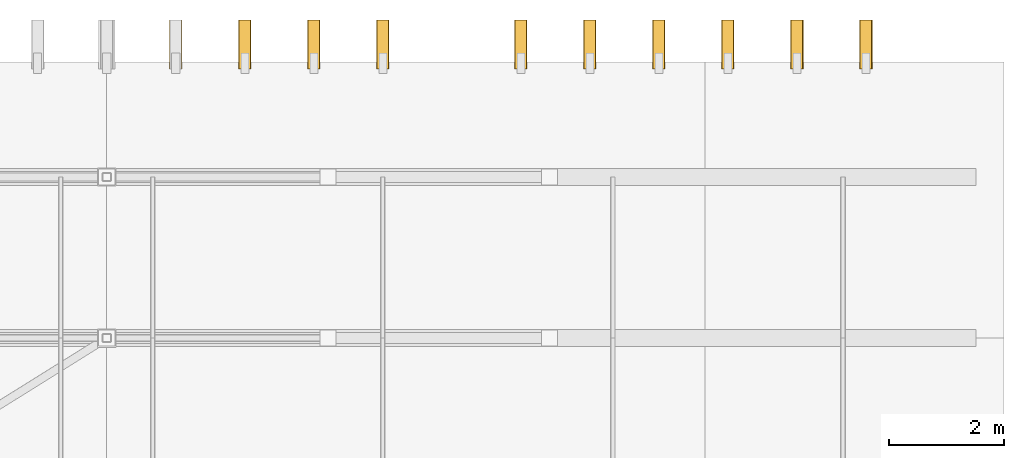
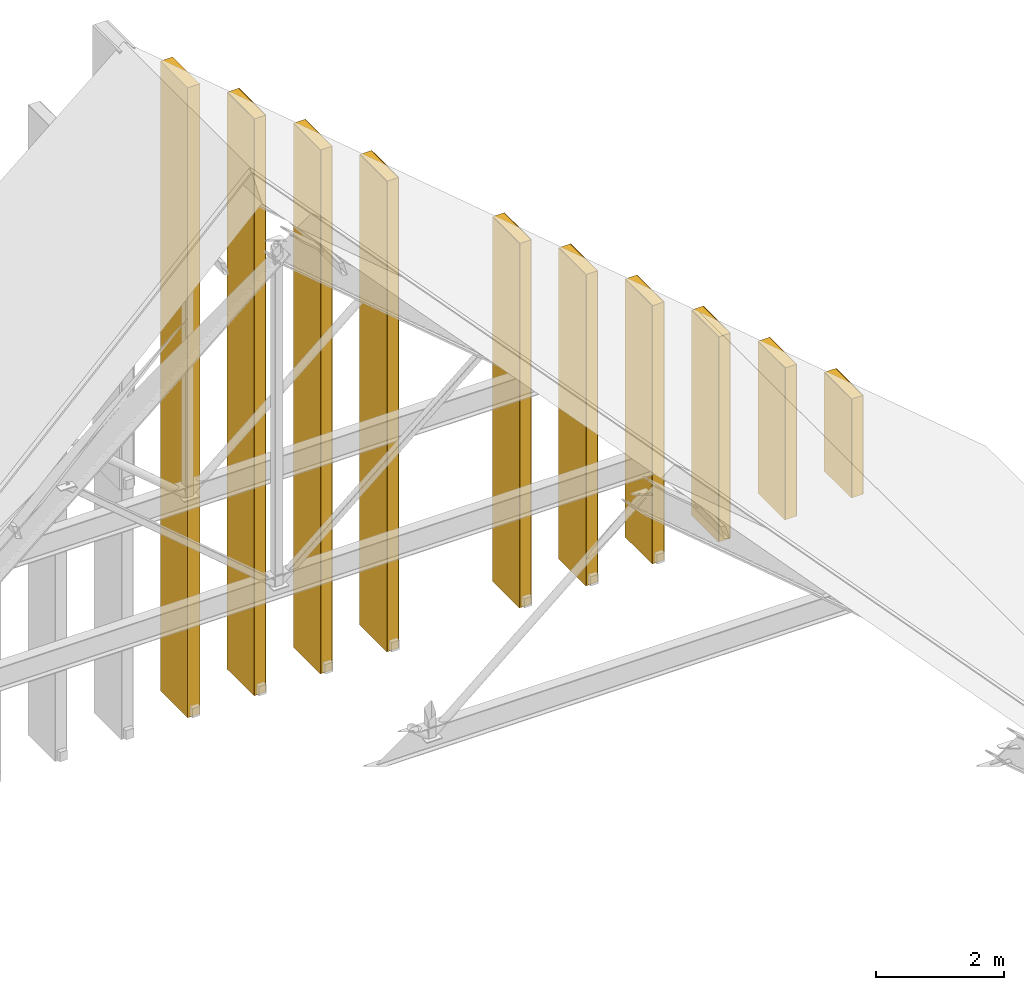
# One storey, part 60 of 60: 10 coverings, 9 shading devices.
"""IFC4 building model written with IfcOpenShell, lengths in metres."""

from ifc_helpers import new_model, si_unit, direction, frame, origin, origin_2d, place, context, subcontext, project, spatial, rectangle, extrude, material, layer, layer_set, type_object, element, save


model = new_model("IFC4")

# Units and contexts
model_context = context("Model", 3, precision=1e-05, world=origin(), true_north=direction((0.0, 1.0)))
body_context = subcontext(model_context, "Body", "Model", "MODEL_VIEW")
ifc_project = project(units=[si_unit("LENGTHUNIT", "METRE"), si_unit("AREAUNIT", "SQUARE_METRE"), si_unit("VOLUMEUNIT", "CUBIC_METRE"), si_unit("PLANEANGLEUNIT", "RADIAN"), si_unit("MASSUNIT", "GRAM", prefix="KILO")], contexts=[model_context])

# Site, building, storey
site_placement = place(None, origin())
site = spatial("IfcSite", under=ifc_project, at=site_placement, CompositionType="ELEMENT")
building_placement = place(site_placement, origin())
building = spatial("IfcBuilding", under=site, at=building_placement, Name="Nakhvara Creek Congress Hotel", CompositionType="ELEMENT")
storey_placement = place(building_placement, frame((0.0, 0.0, 54.60009765625)))
storey = spatial("IfcBuildingStorey", under=building, at=storey_placement, Name="RL1", CompositionType="ELEMENT", Elevation=54.60009765625)

# Coverings
ifc_material_1 = material(Name="Honed pale Omani limestone architectural cladding", Category="masonry")
ifc_layer = layer(ifc_material_1, 0.219970703125)
ifc_layer_set = layer_set([ifc_layer], Name="Honed pale Omani limestone architectural cladding")
covering_type = type_object("IfcCoveringType", Name="COV-FIN-850", PredefinedType="CLADDING", material=ifc_layer_set)
covering_1_placement = place(storey_placement, frame((165.60009765625, 126.304931640625, -4.18017578125), z_axis=(0.0, 0.0, 1.0), x_axis=(1.0, 0.0, 0.0)))
element("IfcCovering", 1, at=covering_1_placement, inside=storey, type_object=covering_type, Name="Pale Limestone Fin Cladding CF01-0031", PredefinedType="CLADDING", context=body_context, shape_type="SweptSolid", body=[
    extrude(rectangle(XDim=0.219970703125, YDim=0.85009765625, at=origin_2d()), origin(), (0.0, 0.0, 1.0), 12.044677734375),
])
covering_2_placement = place(storey_placement, frame((166.800048828125, 126.304931640625, -4.18017578125), z_axis=(0.0, 0.0, 1.0), x_axis=(1.0, 0.0, 0.0)))
element("IfcCovering", 2, at=covering_2_placement, inside=storey, type_object=covering_type, Name="Pale Limestone Fin Cladding CF01-0032", PredefinedType="CLADDING", context=body_context, shape_type="SweptSolid", body=[
    extrude(rectangle(XDim=0.219970703125, YDim=0.85009765625, at=origin_2d()), origin(), (0.0, 0.0, 1.0), 11.029296875),
])
covering_3_placement = place(storey_placement, frame((168.0, 126.304931640625, -4.18017578125), z_axis=(0.0, 0.0, 1.0), x_axis=(1.0, 0.0, 0.0)))
element("IfcCovering", 3, at=covering_3_placement, inside=storey, type_object=covering_type, Name="Pale Limestone Fin Cladding CF01-0033", PredefinedType="CLADDING", context=body_context, shape_type="SweptSolid", body=[
    extrude(rectangle(XDim=0.219970703125, YDim=0.85009765625, at=origin_2d()), origin(), (0.0, 0.0, 1.0), 10.013916015625),
])
covering_4_placement = place(storey_placement, frame((169.199951171875, 126.304931640625, -4.18017578125), z_axis=(0.0, 0.0, 1.0), x_axis=(1.0, 0.0, 0.0)))
element("IfcCovering", 4, at=covering_4_placement, inside=storey, type_object=covering_type, Name="Pale Limestone Fin Cladding CF01-0034", PredefinedType="CLADDING", context=body_context, shape_type="SweptSolid", body=[
    extrude(rectangle(XDim=0.219970703125, YDim=0.85009765625, at=origin_2d()), origin(), (0.0, 0.0, 1.0), 8.99853515625),
])
covering_5_placement = place(storey_placement, frame((171.60009765625, 126.304931640625, -4.18017578125), z_axis=(0.0, 0.0, 1.0), x_axis=(1.0, 0.0, 0.0)))
element("IfcCovering", 5, at=covering_5_placement, inside=storey, type_object=covering_type, Name="Pale Limestone Fin Cladding CF01-0035", PredefinedType="CLADDING", context=body_context, shape_type="SweptSolid", body=[
    extrude(rectangle(XDim=0.219970703125, YDim=0.85009765625, at=origin_2d()), origin(), (0.0, 0.0, 1.0), 6.9677734375),
])
covering_6_placement = place(storey_placement, frame((172.800048828125, 126.304931640625, -4.18017578125), z_axis=(0.0, 0.0, 1.0), x_axis=(1.0, 0.0, 0.0)))
element("IfcCovering", 6, at=covering_6_placement, inside=storey, type_object=covering_type, Name="Pale Limestone Fin Cladding CF01-0036", PredefinedType="CLADDING", context=body_context, shape_type="SweptSolid", body=[
    extrude(rectangle(XDim=0.219970703125, YDim=0.85009765625, at=origin_2d()), origin(), (0.0, 0.0, 1.0), 5.952392578125),
])
covering_7_placement = place(storey_placement, frame((174.0, 126.304931640625, -4.18017578125), z_axis=(0.0, 0.0, 1.0), x_axis=(1.0, 0.0, 0.0)))
element("IfcCovering", 7, at=covering_7_placement, inside=storey, type_object=covering_type, Name="Pale Limestone Fin Cladding CF01-0037", PredefinedType="CLADDING", context=body_context, shape_type="SweptSolid", body=[
    extrude(rectangle(XDim=0.219970703125, YDim=0.85009765625, at=origin_2d()), origin(), (0.0, 0.0, 1.0), 4.93701171875),
])
covering_8_placement = place(storey_placement, frame((175.199951171875, 126.304931640625, -4.179931640625), z_axis=(0.0, 0.0, 1.0), x_axis=(1.0, 0.0, 0.0)))
element("IfcCovering", 8, at=covering_8_placement, inside=storey, type_object=covering_type, Name="Pale Limestone Fin Cladding CF01-0038", PredefinedType="CLADDING", context=body_context, shape_type="SweptSolid", body=[
    extrude(rectangle(XDim=0.219970703125, YDim=0.85009765625, at=origin_2d()), origin(), (0.0, 0.0, 1.0), 3.92138671875),
])
covering_9_placement = place(storey_placement, frame((176.39990234375, 126.304931640625, -4.18017578125), z_axis=(0.0, 0.0, 1.0), x_axis=(1.0, 0.0, 0.0)))
element("IfcCovering", 9, at=covering_9_placement, inside=storey, type_object=covering_type, Name="Pale Limestone Fin Cladding CF01-0039", PredefinedType="CLADDING", context=body_context, shape_type="SweptSolid", body=[
    extrude(rectangle(XDim=0.219970703125, YDim=0.85009765625, at=origin_2d()), origin(), (0.0, 0.0, 1.0), 2.90625),
])
covering_10_placement = place(storey_placement, frame((177.60009765625, 126.304931640625, -4.18017578125), z_axis=(0.0, 0.0, 1.0), x_axis=(1.0, 0.0, 0.0)))
element("IfcCovering", 10, at=covering_10_placement, inside=storey, type_object=covering_type, Name="Pale Limestone Fin Cladding CF01-0040", PredefinedType="CLADDING", context=body_context, shape_type="SweptSolid", body=[
    extrude(rectangle(XDim=0.219970703125, YDim=0.85009765625, at=origin_2d()), origin(), (0.0, 0.0, 1.0), 1.890869140625),
])

# Shading devices
ifc_material_2 = material(Name="Honed pale Omani limestone cladding on stainless steel spine", Category="masonry")
shading_device_type = type_object("IfcShadingDeviceType", Name="SHD-FIN-GABLE", PredefinedType="USERDEFINED", material=ifc_material_2)
shading_device_1_placement = place(storey_placement, frame((166.800048828125, 126.304931640625, -4.18017578125), z_axis=(0.0, 0.0, 1.0), x_axis=(1.0, 0.0, 0.0)))
element("IfcShadingDevice", 11, at=shading_device_1_placement, inside=storey, type_object=shading_device_type, Name="Limestone Solar Fin FN04-0032", ObjectType="FIN", PredefinedType="USERDEFINED", context=body_context, shape_type="SweptSolid", body=[
    extrude(rectangle(XDim=0.199951171875, YDim=0.85009765625, at=origin_2d()), origin(), (0.0, 0.0, 1.0), 11.029296875),
])
shading_device_2_placement = place(storey_placement, frame((168.0, 126.304931640625, -4.18017578125), z_axis=(0.0, 0.0, 1.0), x_axis=(1.0, 0.0, 0.0)))
element("IfcShadingDevice", 12, at=shading_device_2_placement, inside=storey, type_object=shading_device_type, Name="Limestone Solar Fin FN04-0033", ObjectType="FIN", PredefinedType="USERDEFINED", context=body_context, shape_type="SweptSolid", body=[
    extrude(rectangle(XDim=0.199951171875, YDim=0.85009765625, at=origin_2d()), origin(), (0.0, 0.0, 1.0), 10.013916015625),
])
shading_device_3_placement = place(storey_placement, frame((169.199951171875, 126.304931640625, -4.18017578125), z_axis=(0.0, 0.0, 1.0), x_axis=(1.0, 0.0, 0.0)))
element("IfcShadingDevice", 13, at=shading_device_3_placement, inside=storey, type_object=shading_device_type, Name="Limestone Solar Fin FN04-0034", ObjectType="FIN", PredefinedType="USERDEFINED", context=body_context, shape_type="SweptSolid", body=[
    extrude(rectangle(XDim=0.199951171875, YDim=0.85009765625, at=origin_2d()), origin(), (0.0, 0.0, 1.0), 8.99853515625),
])
shading_device_4_placement = place(storey_placement, frame((171.60009765625, 126.304931640625, -4.18017578125), z_axis=(0.0, 0.0, 1.0), x_axis=(1.0, 0.0, 0.0)))
element("IfcShadingDevice", 14, at=shading_device_4_placement, inside=storey, type_object=shading_device_type, Name="Limestone Solar Fin FN04-0035", ObjectType="FIN", PredefinedType="USERDEFINED", context=body_context, shape_type="SweptSolid", body=[
    extrude(rectangle(XDim=0.199951171875, YDim=0.85009765625, at=origin_2d()), origin(), (0.0, 0.0, 1.0), 6.9677734375),
])
shading_device_5_placement = place(storey_placement, frame((172.800048828125, 126.304931640625, -4.18017578125), z_axis=(0.0, 0.0, 1.0), x_axis=(1.0, 0.0, 0.0)))
element("IfcShadingDevice", 15, at=shading_device_5_placement, inside=storey, type_object=shading_device_type, Name="Limestone Solar Fin FN04-0036", ObjectType="FIN", PredefinedType="USERDEFINED", context=body_context, shape_type="SweptSolid", body=[
    extrude(rectangle(XDim=0.199951171875, YDim=0.85009765625, at=origin_2d()), origin(), (0.0, 0.0, 1.0), 5.952392578125),
])
shading_device_6_placement = place(storey_placement, frame((174.0, 126.304931640625, -4.18017578125), z_axis=(0.0, 0.0, 1.0), x_axis=(1.0, 0.0, 0.0)))
element("IfcShadingDevice", 16, at=shading_device_6_placement, inside=storey, type_object=shading_device_type, Name="Limestone Solar Fin FN04-0037", ObjectType="FIN", PredefinedType="USERDEFINED", context=body_context, shape_type="SweptSolid", body=[
    extrude(rectangle(XDim=0.199951171875, YDim=0.85009765625, at=origin_2d()), origin(), (0.0, 0.0, 1.0), 4.93701171875),
])
shading_device_7_placement = place(storey_placement, frame((175.199951171875, 126.304931640625, -4.179931640625), z_axis=(0.0, 0.0, 1.0), x_axis=(1.0, 0.0, 0.0)))
element("IfcShadingDevice", 17, at=shading_device_7_placement, inside=storey, type_object=shading_device_type, Name="Limestone Solar Fin FN04-0038", ObjectType="FIN", PredefinedType="USERDEFINED", context=body_context, shape_type="SweptSolid", body=[
    extrude(rectangle(XDim=0.199951171875, YDim=0.85009765625, at=origin_2d()), origin(), (0.0, 0.0, 1.0), 3.92138671875),
])
shading_device_8_placement = place(storey_placement, frame((176.39990234375, 126.304931640625, -4.18017578125), z_axis=(0.0, 0.0, 1.0), x_axis=(1.0, 0.0, 0.0)))
element("IfcShadingDevice", 18, at=shading_device_8_placement, inside=storey, type_object=shading_device_type, Name="Limestone Solar Fin FN04-0039", ObjectType="FIN", PredefinedType="USERDEFINED", context=body_context, shape_type="SweptSolid", body=[
    extrude(rectangle(XDim=0.199951171875, YDim=0.85009765625, at=origin_2d()), origin(), (0.0, 0.0, 1.0), 2.90625),
])
shading_device_9_placement = place(storey_placement, frame((177.60009765625, 126.304931640625, -4.18017578125), z_axis=(0.0, 0.0, 1.0), x_axis=(1.0, 0.0, 0.0)))
element("IfcShadingDevice", 19, at=shading_device_9_placement, inside=storey, type_object=shading_device_type, Name="Limestone Solar Fin FN04-0040", ObjectType="FIN", PredefinedType="USERDEFINED", context=body_context, shape_type="SweptSolid", body=[
    extrude(rectangle(XDim=0.199951171875, YDim=0.85009765625, at=origin_2d()), origin(), (0.0, 0.0, 1.0), 1.890869140625),
])

save(model, "model.ifc")
